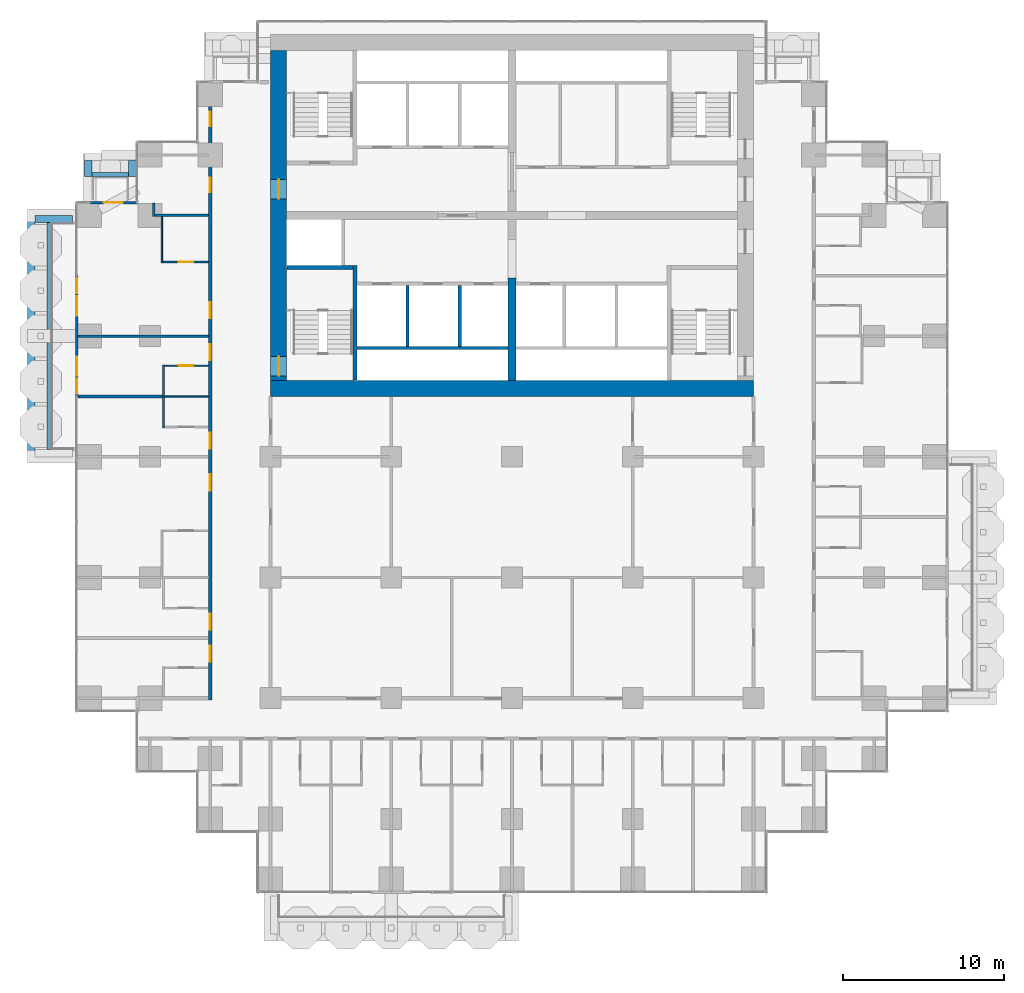
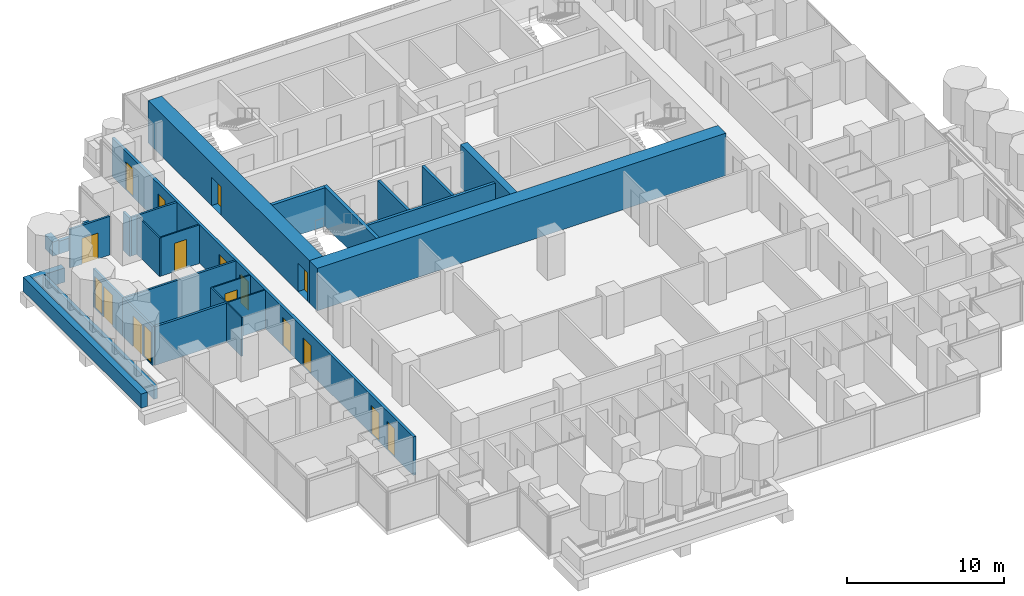
# One storey, part 13 of 19: 27 walls, 15 doors, 2 windows, 17 openings.
"""IFC4 building model written with IfcOpenShell, lengths in metres."""

import ifcopenshell
import ifcopenshell.guid

model = None  # the IFC model being written
_history = None  # IfcOwnerHistory: only IFC2X3 demands one
_inside = {}  # id of a spatial element -> (the spatial element, [elements in it])
_under = {}  # id of a project, library or spatial element -> (it, [spatial elements below it])
_declared = {}  # id of a project -> (the project, [libraries it declares])
_typed = {}  # id of a type object -> (the type object, [elements of that type])
_made_of = {}  # id of a material, layer set ... -> (it, [elements and type objects made of it])


def new_model(schema):
    """Start an empty IFC model of exactly this schema.

    Asked for "IFC4X3", IfcOpenShell would pick the latest addendum, in which some entities
    have other attributes; the version numbers below select the first issue.
    IFC2X3 requires an IfcOwnerHistory on every rooted entity: one is made here for all.
    """
    global model, _history
    if schema == "IFC4X3":
        model = ifcopenshell.file(schema_version=(4, 3, 0, 0))
    else:
        model = ifcopenshell.file(schema=schema)
    _inside.clear()
    _under.clear()
    _declared.clear()
    _typed.clear()
    _made_of.clear()
    _history = None
    if model.schema == "IFC2X3":
        org = make("IfcOrganization", Name="unknown")
        user = make(
            "IfcPersonAndOrganization",
            ThePerson=make("IfcPerson", FamilyName="unknown"),
            TheOrganization=org,
        )
        app = make(
            "IfcApplication",
            ApplicationDeveloper=org,
            Version="unknown",
            ApplicationFullName="unknown",
            ApplicationIdentifier="unknown",
        )
        _history = make(
            "IfcOwnerHistory",
            OwningUser=user,
            OwningApplication=app,
            ChangeAction="ADDED",
            CreationDate=0,
        )
    return model


def make(cls, **values):
    """One entity of the class cls with the attributes given. An attribute that is None is left unset."""
    return model.create_entity(
        cls, **{name: value for name, value in values.items() if value is not None}
    )


def rooted(cls, **values):
    """An entity with a GlobalId (a new one), such as an element, a storey or a relation."""
    return make(cls, GlobalId=ifcopenshell.guid.new(), OwnerHistory=_history, **values)


def si_unit(unit_type, name, prefix=None):
    """IfcSIUnit, for example si_unit("LENGTHUNIT", "METRE", prefix="MILLI")."""
    return make("IfcSIUnit", UnitType=unit_type, Prefix=prefix, Name=name)


def assignment(units):
    """IfcUnitAssignment: the units of a project."""
    return None if units is None else make("IfcUnitAssignment", Units=units)


def point(xyz):
    """IfcCartesianPoint."""
    return None if xyz is None else make("IfcCartesianPoint", Coordinates=xyz)


def direction(xyz):
    """IfcDirection."""
    return None if xyz is None else make("IfcDirection", DirectionRatios=xyz)


def frame(location, z_axis=None, x_axis=None):
    """IfcAxis2Placement3D, a coordinate frame: its origin and axes. An axis left out is left unset."""
    return make(
        "IfcAxis2Placement3D",
        Location=point(location),
        Axis=direction(z_axis),
        RefDirection=direction(x_axis),
    )


def frame_2d(location, x_axis=None):
    """IfcAxis2Placement2D, a coordinate frame in the plane: its origin and x axis."""
    return make(
        "IfcAxis2Placement2D", Location=point(location), RefDirection=direction(x_axis)
    )


def origin():
    """The frame at (0, 0, 0) with its axes left unset."""
    return frame((0.0, 0.0, 0.0))


def place(relative_to, where):
    """IfcLocalPlacement: puts the frame where relative to a parent placement (None: the world)."""
    return make(
        "IfcLocalPlacement", PlacementRelTo=relative_to, RelativePlacement=where
    )


def context(
    kind, dimensions, precision=None, world=None, true_north=None, identifier=None
):
    """IfcGeometricRepresentationContext, for example the 3D "Model" context."""
    return make(
        "IfcGeometricRepresentationContext",
        ContextIdentifier=identifier,
        ContextType=kind,
        CoordinateSpaceDimension=dimensions,
        Precision=precision,
        WorldCoordinateSystem=world,
        TrueNorth=true_north,
    )


def subcontext(parent, identifier, kind, view, scale=None):
    """IfcGeometricRepresentationSubContext, for example "Body" below "Model"."""
    return make(
        "IfcGeometricRepresentationSubContext",
        ContextIdentifier=identifier,
        ContextType=kind,
        ParentContext=parent,
        TargetScale=scale,
        TargetView=view,
    )


def project(units=None, contexts=None):
    """IfcProject with its units and contexts."""
    return rooted(
        "IfcProject",
        Name="project",
        RepresentationContexts=contexts,
        UnitsInContext=assignment(units),
    )


def spatial(cls, under=None, at=None, **own):
    """A site, building, storey or space (cls), placed at a placement, below another one or the project."""
    s = rooted(cls, ObjectPlacement=at, **own)
    if under is not None:
        _under.setdefault(under.id(), (under, []))[1].append(s)
    return s


def profile(cls, at=None, kind="AREA", **sizes):
    """A parametric profile (cls). Its sizes go by their IFC names, for example OverallWidth=200.0."""
    return make(cls, ProfileType=kind, Position=at, **sizes)


def rectangle(**sizes):
    """IfcRectangleProfileDef."""
    return profile("IfcRectangleProfileDef", **sizes)


def extrude(swept, where, along, depth):
    """IfcExtrudedAreaSolid: the profile swept, set in the frame where, extruded along a direction by depth."""
    return make(
        "IfcExtrudedAreaSolid",
        SweptArea=swept,
        Position=where,
        ExtrudedDirection=direction(along),
        Depth=depth,
    )


def shape(context_of_items, identifier, shape_type, items):
    """IfcShapeRepresentation: the items that make up one representation, for example the "Body"."""
    return make(
        "IfcShapeRepresentation",
        ContextOfItems=context_of_items,
        RepresentationIdentifier=identifier,
        RepresentationType=shape_type,
        Items=items,
    )


def material(Name=None, Category=None):
    """IfcMaterial."""
    return make("IfcMaterial", Name=Name, Category=Category)


def layer(
    of_material, thickness, ventilated=None, Name=None, Category=None, Priority=None
):
    """IfcMaterialLayer: one layer of a wall or slab, of a material (None: an air gap)."""
    return make(
        "IfcMaterialLayer",
        Material=of_material,
        LayerThickness=thickness,
        IsVentilated=ventilated,
        Name=Name,
        Category=Category,
        Priority=Priority,
    )


def layer_set(layers, Name=None):
    """IfcMaterialLayerSet."""
    return make("IfcMaterialLayerSet", MaterialLayers=layers, LayerSetName=Name)


def made_of(thing, what):
    """Note that an element or type object is made of a material, layer set ...; save() writes the relation."""
    if what is not None:
        _made_of.setdefault(what.id(), (what, []))[1].append(thing)
    return thing


def type_object(cls, material=None, **own):
    """A type object (cls), such as IfcWallType, which elements share."""
    return made_of(rooted(cls, **own), material)


def element(
    cls,
    number,
    at=None,
    inside=None,
    cuts=None,
    type_object=None,
    material=None,
    context=None,
    identifier="Body",
    shape_type=None,
    held_by="IfcProductDefinitionShape",
    body=None,
    shapes=None,
    **own,
):
    """One element of the class cls, such as IfcWall. Its Tag is "e" and its number.

    at: its placement. inside: the storey or other place that contains it. cuts: it is an
    opening in that element (IfcRelVoidsElement). A single representation is given by context,
    identifier, shape_type and body (its items); several are given by shapes. held_by: the class
    of the entity that holds the representations. save() writes the other relations.
    """
    e = rooted(cls, Tag="e%d" % number, ObjectPlacement=at, **own)
    if body is not None:
        shapes = [shape(context, identifier, shape_type, body)]
    if shapes is not None:
        e.Representation = make(held_by, Representations=shapes)
    if inside is not None:
        _inside.setdefault(inside.id(), (inside, []))[1].append(e)
    if cuts is not None:
        rooted(
            "IfcRelVoidsElement", RelatingBuildingElement=cuts, RelatedOpeningElement=e
        )
    if type_object is not None:
        _typed.setdefault(type_object.id(), (type_object, []))[1].append(e)
    return made_of(e, material)


def fill(opening, filler):
    """IfcRelFillsElement: the door or window that sits in an opening."""
    return rooted(
        "IfcRelFillsElement",
        RelatingOpeningElement=opening,
        RelatedBuildingElement=filler,
    )


def aggregate(whole, parts):
    """IfcRelAggregates: a whole, such as a stair, and the parts it consists of."""
    return rooted("IfcRelAggregates", RelatingObject=whole, RelatedObjects=parts)


def save(model, path):
    """Write the relations noted so far, then the file.

    IfcRelAggregates (storeys below a building ...), IfcRelContainedInSpatialStructure (elements
    in a storey), IfcRelDefinesByType, IfcRelAssociatesMaterial and IfcRelDeclares: one each for
    every whole, place, type object, material and project.
    """
    for whole, parts in _under.values():
        aggregate(whole, parts)
    for where, things in _inside.values():
        rooted(
            "IfcRelContainedInSpatialStructure",
            RelatedElements=things,
            RelatingStructure=where,
        )
    for kind, things in _typed.values():
        rooted("IfcRelDefinesByType", RelatedObjects=things, RelatingType=kind)
    for what, things in _made_of.values():
        rooted("IfcRelAssociatesMaterial", RelatedObjects=things, RelatingMaterial=what)
    for by, libraries in _declared.values():
        rooted("IfcRelDeclares", RelatingContext=by, RelatedDefinitions=libraries)
    model.write(path)


model = new_model("IFC4")

# Units and contexts
model_context = context("Model", 3, precision=1e-05, world=origin(), true_north=direction((0.0, 1.0)))
body_context = subcontext(model_context, "Body", "Model", "MODEL_VIEW")
ifc_project = project(units=[si_unit("LENGTHUNIT", "METRE"), si_unit("AREAUNIT", "SQUARE_METRE"), si_unit("VOLUMEUNIT", "CUBIC_METRE"), si_unit("PLANEANGLEUNIT", "RADIAN"), si_unit("MASSUNIT", "GRAM", prefix="KILO")], contexts=[model_context])

# Site, building, storey
site_placement = place(None, origin())
site = spatial("IfcSite", under=ifc_project, at=site_placement, CompositionType="ELEMENT")
building_placement = place(site_placement, origin())
building = spatial("IfcBuilding", under=site, at=building_placement, Name="Pilkhan Gate Tower", CompositionType="ELEMENT")
storey_placement = place(building_placement, frame((0.0, 0.0, 69.199951171875)))
storey = spatial("IfcBuildingStorey", under=building, at=storey_placement, Name="L15", CompositionType="ELEMENT", Elevation=69.199951171875)

# Walls
ifc_material_1 = material(Name="Dense blockwork", Category="masonry")
ifc_layer_1 = layer(ifc_material_1, 0.175048828125)
ifc_layer_set_1 = layer_set([ifc_layer_1], Name="Acoustic party wall PW175")
wall_type_1 = type_object("IfcWallType", Name="Acoustic party wall PW175", PredefinedType="PARTITIONING", material=ifc_layer_set_1)
wall_1_placement = place(storey_placement, frame((48.0400390625, 71.25, 0.0), z_axis=(0.0, 0.0, 1.0), x_axis=(1.0, 0.0, 0.0)))
element("IfcWall", 1, at=wall_1_placement, inside=storey, type_object=wall_type_1, Name="Partition L15", PredefinedType="PARTITIONING", context=body_context, shape_type="SweptSolid", body=[
    extrude(rectangle(XDim=5.260009765625, YDim=0.175048828125, at=frame_2d((2.6298828125, 0.0))), origin(), (0.0, 0.0, 1.0), 3.0),
])
ifc_material_2 = material(Name="Concrete C40/50", Category="concrete")
ifc_layer_2 = layer(ifc_material_2, 0.25)
ifc_layer_set_2 = layer_set([ifc_layer_2], Name="Balcony planter BP250")
wall_type_2 = type_object("IfcWallType", Name="Balcony planter BP250", PredefinedType="USERDEFINED", material=ifc_layer_set_2)
wall_2_placement = place(storey_placement, frame((48.89990234375, 85.02490234375, 0.0), z_axis=(0.0, 0.0, 1.0), x_axis=(1.0, 0.0, 0.0)))
element("IfcWall", 2, at=wall_2_placement, inside=storey, type_object=wall_type_2, Name="Balcony planter L15 N", ObjectType="BALCONY PLANTER", PredefinedType="USERDEFINED", context=body_context, shape_type="SweptSolid", body=[
    extrude(rectangle(XDim=2.280029296875, YDim=0.25, at=frame_2d((1.14013671875, 0.0))), origin(), (0.0, 0.0, 1.0), 1.0),
])
wall_3_placement = place(storey_placement, frame((46.22509765625, 67.949951171875, 0.0), z_axis=(0.0, 0.0, 1.0), x_axis=(0.0, 1.0, 0.0)))
element("IfcWall", 3, at=wall_3_placement, inside=storey, type_object=wall_type_2, Name="Balcony planter L15 W", ObjectType="BALCONY PLANTER", PredefinedType="USERDEFINED", context=body_context, shape_type="SweptSolid", body=[
    extrude(rectangle(XDim=14.10009765625, YDim=0.25, at=frame_2d((7.050048828125, 0.0))), origin(), (0.0, 0.0, 1.0), 1.0),
])
ifc_material_3 = material(Name="Board-marked Concrete C40/50", Category="concrete")
ifc_layer_3 = layer(ifc_material_3, 0.449951171875)
ifc_layer_set_3 = layer_set([ifc_layer_3], Name="Balcony planter lip BL450")
wall_type_3 = type_object("IfcWallType", Name="Balcony planter lip BL450", PredefinedType="USERDEFINED", material=ifc_layer_set_3)
for number, where, z_axis, x_axis, name in (
    (4, (48.675048828125, 84.89990234375, 0.0), (0.0, 0.0, 1.0), (0.0, 1.0, 0.0), "Balcony planter L15 N"),
    (5, (51.405029296875, 84.89990234375, 0.0), (0.0, 0.0, 1.0), (0.0, 1.0, 0.0), "Balcony planter L15 N"),
):
    element("IfcWall", number, at=place(storey_placement, frame(where, z_axis=z_axis, x_axis=x_axis)), inside=storey, type_object=wall_type_3, Name=name, ObjectType="BALCONY PLANTER", PredefinedType="USERDEFINED", context=body_context, shape_type="SweptSolid", body=[
        extrude(rectangle(XDim=1.0, YDim=0.449951171875, at=frame_2d((0.5, 0.0))), origin(), (0.0, 0.0, 1.0), 1.10009765625),
    ])
wall_4_placement = place(storey_placement, frame((45.125, 67.5, 0.0), z_axis=(0.0, 0.0, 1.0), x_axis=(0.0, 1.0, 0.0)))
element("IfcWall", 6, at=wall_4_placement, inside=storey, type_object=wall_type_3, Name="Balcony planter L15 W", ObjectType="BALCONY PLANTER", PredefinedType="USERDEFINED", context=body_context, shape_type="SweptSolid", body=[
    extrude(rectangle(XDim=15.0, YDim=0.449951171875, at=frame_2d((7.5, 0.0))), origin(), (0.0, 0.0, 1.0), 1.10009765625),
])
wall_5_placement = place(storey_placement, frame((47.699951171875, 82.27490234375, 0.0), z_axis=(0.0, 0.0, 1.0), x_axis=(-1.0, 0.0, 0.0)))
element("IfcWall", 7, at=wall_5_placement, inside=storey, type_object=wall_type_3, Name="Balcony planter L15 W", ObjectType="BALCONY PLANTER", PredefinedType="USERDEFINED", context=body_context, shape_type="SweptSolid", body=[
    extrude(rectangle(XDim=2.349853515625, YDim=0.449951171875, at=frame_2d((1.1748046875, 0.0))), origin(), (0.0, 0.0, 1.0), 1.10009765625),
])
ifc_material_4 = material(Name="Concrete C70/85", Category="concrete")
ifc_layer_4 = layer(ifc_material_4, 1.0)
ifc_layer_set_4 = layer_set([ifc_layer_4], Name="Core wall CW1000 C70/85")
wall_type_4 = type_object("IfcWallType", Name="Core wall CW1000 C70/85", PredefinedType="SHEAR", material=ifc_layer_set_4)
wall_6_placement = place(storey_placement, frame((60.0, 71.75, 0.0), z_axis=(0.0, 0.0, 1.0), x_axis=(1.0, 0.0, 0.0)))
element("IfcWall", 8, at=wall_6_placement, inside=storey, type_object=wall_type_4, Name="Core wall S L15", PredefinedType="SHEAR", context=body_context, shape_type="SweptSolid", body=[
    extrude(rectangle(XDim=30.0, YDim=1.0, at=frame_2d((15.0, 0.0))), origin(), (0.0, 0.0, 1.0), 3.300048828125),
])

# Wall, openings, doors
wall_7_placement = place(storey_placement, frame((60.5, 92.75, 0.0), z_axis=(0.0, 0.0, 1.0), x_axis=(0.0, -1.0, 0.0)))
wall_7 = element("IfcWall", 9, at=wall_7_placement, inside=storey, type_object=wall_type_4, Name="Core wall W L15", PredefinedType="SHEAR", context=body_context, shape_type="SweptSolid", body=[
    extrude(rectangle(XDim=20.5, YDim=1.0, at=frame_2d((10.25, 0.0))), origin(), (0.0, 0.0, 1.0), 3.300048828125),
])
opening_1_placement = place(wall_7_placement, frame((19.02490234375, 0.0, 0.0)))
opening_1 = element("IfcOpeningElement", 10, at=opening_1_placement, cuts=wall_7, Name="Opening L15-04", PredefinedType="OPENING", context=body_context, shape_type="SweptSolid", body=[
    extrude(rectangle(XDim=1.199951171875, YDim=2.199951171875, at=frame_2d((0.60009765625, 1.10009765625))), frame((0.0, 0.510009765625, 0.0), z_axis=(0.0, -1.0, 0.0), x_axis=(1.0, 0.0, 0.0)), (0.0, 0.0, 1.0), 1.02001953125),
])
opening_2_placement = place(wall_7_placement, frame((8.02490234375, 0.0, 0.0)))
opening_2 = element("IfcOpeningElement", 11, at=opening_2_placement, cuts=wall_7, Name="Opening L15-51", PredefinedType="OPENING", context=body_context, shape_type="SweptSolid", body=[
    extrude(rectangle(XDim=1.199951171875, YDim=2.199951171875, at=frame_2d((0.60009765625, 1.10009765625))), frame((0.0, 0.510009765625, 0.0), z_axis=(0.0, -1.0, 0.0), x_axis=(1.0, 0.0, 0.0)), (0.0, 0.0, 1.0), 1.02001953125),
])
ifc_material_5 = material(Name="Steel door, 120 minute fire resisting, self-closing", Category="steel")
door_type_1 = type_object("IfcDoorType", Name="Firefighting lobby door D10 1200x2200", OperationType="SINGLE_SWING_LEFT", PredefinedType="DOOR", material=ifc_material_5)
door_1_placement = place(opening_2_placement, origin())
door_1 = element("IfcDoor", 12, at=door_1_placement, inside=storey, type_object=door_type_1, Name="Core door", OperationType="SINGLE_SWING_LEFT", OverallHeight=2.199951171875, OverallWidth=1.199951171875, PredefinedType="DOOR", context=body_context, shape_type="SweptSolid", body=[
    extrude(rectangle(XDim=1.199951171875, YDim=2.199951171875, at=frame_2d((0.60009765625, 1.10009765625))), frame((0.0, 0.02490234375, 0.0), z_axis=(0.0, -1.0, 0.0), x_axis=(1.0, 0.0, 0.0)), (0.0, 0.0, 1.0), 0.050048828125),
])
fill(opening_2, door_1)
ifc_material_6 = material(Name="Steel door, 120 minute fire resisting, panic bar", Category="steel")
door_type_2 = type_object("IfcDoorType", Name="Stair door D11 1200x2200", OperationType="SINGLE_SWING_LEFT", PredefinedType="DOOR", material=ifc_material_6)
door_2_placement = place(opening_1_placement, origin())
door_2 = element("IfcDoor", 13, at=door_2_placement, inside=storey, type_object=door_type_2, Name="Stair ST2 door", OperationType="SINGLE_SWING_LEFT", OverallHeight=2.199951171875, OverallWidth=1.199951171875, PredefinedType="DOOR", context=body_context, shape_type="SweptSolid", body=[
    extrude(rectangle(XDim=1.199951171875, YDim=2.199951171875, at=frame_2d((0.60009765625, 1.10009765625))), frame((0.0, 0.02490234375, 0.0), z_axis=(0.0, -1.0, 0.0), x_axis=(1.0, 0.0, 0.0)), (0.0, 0.0, 1.0), 0.050048828125),
])
fill(opening_1, door_2)

ifc_layer_5 = layer(ifc_material_1, 0.199951171875)
ifc_layer_set_5 = layer_set([ifc_layer_5], Name="Corridor wall FW200")
wall_type_5 = type_object("IfcWallType", Name="Corridor wall FW200", PredefinedType="PARTITIONING", material=ifc_layer_set_5)
wall_8_placement = place(storey_placement, frame((56.25, 52.39990234375, 0.0), z_axis=(0.0, 0.0, 1.0), x_axis=(0.0, 1.0, 0.0)))
wall_8 = element("IfcWall", 14, at=wall_8_placement, inside=storey, type_object=wall_type_5, Name="Partition L15", PredefinedType="PARTITIONING", context=body_context, shape_type="SweptSolid", body=[
    extrude(rectangle(XDim=38.31005859375, YDim=0.199951171875, at=frame_2d((19.155029296875, 0.0))), origin(), (0.0, 0.0, 1.0), 3.0),
])
opening_3_placement = place(wall_8_placement, frame((2.35009765625, 0.0, 0.0)))
opening_3 = element("IfcOpeningElement", 15, at=opening_3_placement, cuts=wall_8, Name="Opening L15-26", PredefinedType="OPENING", context=body_context, shape_type="SweptSolid", body=[
    extrude(rectangle(XDim=1.0, YDim=2.199951171875, at=frame_2d((0.5, 1.10009765625))), frame((0.0, 0.10986328125, 0.0), z_axis=(0.0, -1.0, 0.0), x_axis=(1.0, 0.0, 0.0)), (0.0, 0.0, 1.0), 0.219970703125),
])
opening_4_placement = place(wall_8_placement, frame((4.35009765625, 0.0, 0.0)))
opening_4 = element("IfcOpeningElement", 16, at=opening_4_placement, cuts=wall_8, Name="Opening L15-28", PredefinedType="OPENING", context=body_context, shape_type="SweptSolid", body=[
    extrude(rectangle(XDim=1.0, YDim=2.199951171875, at=frame_2d((0.5, 1.10009765625))), frame((0.0, 0.10986328125, 0.0), z_axis=(0.0, -1.0, 0.0), x_axis=(1.0, 0.0, 0.0)), (0.0, 0.0, 1.0), 0.219970703125),
])
opening_5_placement = place(wall_8_placement, frame((13.0, 0.0, 0.0)))
opening_5 = element("IfcOpeningElement", 17, at=opening_5_placement, cuts=wall_8, Name="Opening L15-30", PredefinedType="OPENING", context=body_context, shape_type="SweptSolid", body=[
    extrude(rectangle(XDim=1.0, YDim=2.199951171875, at=frame_2d((0.5, 1.10009765625))), frame((0.0, 0.10986328125, 0.0), z_axis=(0.0, -1.0, 0.0), x_axis=(1.0, 0.0, 0.0)), (0.0, 0.0, 1.0), 0.219970703125),
])
opening_6_placement = place(wall_8_placement, frame((15.60009765625, 0.0, 0.0)))
opening_6 = element("IfcOpeningElement", 18, at=opening_6_placement, cuts=wall_8, Name="Opening L15-32", PredefinedType="OPENING", context=body_context, shape_type="SweptSolid", body=[
    extrude(rectangle(XDim=1.0, YDim=2.199951171875, at=frame_2d((0.5, 1.10009765625))), frame((0.0, 0.10986328125, 0.0), z_axis=(0.0, -1.0, 0.0), x_axis=(1.0, 0.0, 0.0)), (0.0, 0.0, 1.0), 0.219970703125),
])
opening_7_placement = place(wall_8_placement, frame((21.10009765625, 0.0, 0.0)))
opening_7 = element("IfcOpeningElement", 19, at=opening_7_placement, cuts=wall_8, Name="Opening L15-34", PredefinedType="OPENING", context=body_context, shape_type="SweptSolid", body=[
    extrude(rectangle(XDim=1.0, YDim=2.199951171875, at=frame_2d((0.5, 1.10009765625))), frame((0.0, 0.10986328125, 0.0), z_axis=(0.0, -1.0, 0.0), x_axis=(1.0, 0.0, 0.0)), (0.0, 0.0, 1.0), 0.219970703125),
])
opening_8_placement = place(wall_8_placement, frame((23.699951171875, 0.0, 0.0)))
opening_8 = element("IfcOpeningElement", 20, at=opening_8_placement, cuts=wall_8, Name="Opening L15-36", PredefinedType="OPENING", context=body_context, shape_type="SweptSolid", body=[
    extrude(rectangle(XDim=1.0, YDim=2.199951171875, at=frame_2d((0.5, 1.10009765625))), frame((0.0, 0.10986328125, 0.0), z_axis=(0.0, -1.0, 0.0), x_axis=(1.0, 0.0, 0.0)), (0.0, 0.0, 1.0), 0.219970703125),
])
opening_9_placement = place(wall_8_placement, frame((31.550048828125, 0.0, 0.0)))
opening_9 = element("IfcOpeningElement", 21, at=opening_9_placement, cuts=wall_8, Name="Opening L15-58", PredefinedType="OPENING", context=body_context, shape_type="SweptSolid", body=[
    extrude(rectangle(XDim=0.89990234375, YDim=2.199951171875, at=frame_2d((0.449951171875, 1.10009765625))), frame((0.0, 0.10986328125, 0.0), z_axis=(0.0, -1.0, 0.0), x_axis=(1.0, 0.0, 0.0)), (0.0, 0.0, 1.0), 0.219970703125),
])
opening_10_placement = place(wall_8_placement, frame((35.64990234375, 0.0, 0.0)))
opening_10 = element("IfcOpeningElement", 22, at=opening_10_placement, cuts=wall_8, Name="Opening L15-59", PredefinedType="OPENING", context=body_context, shape_type="SweptSolid", body=[
    extrude(rectangle(XDim=0.89990234375, YDim=2.199951171875, at=frame_2d((0.449951171875, 1.10009765625))), frame((0.0, 0.10986328125, 0.0), z_axis=(0.0, -1.0, 0.0), x_axis=(1.0, 0.0, 0.0)), (0.0, 0.0, 1.0), 0.219970703125),
])
ifc_material_7 = material(Name="Timber flush door, 30 minute fire resisting", Category="wood")
door_type_3 = type_object("IfcDoorType", Name="Guest room door D01 1000x2200", OperationType="SINGLE_SWING_LEFT", PredefinedType="DOOR", material=ifc_material_7)
door_3_placement = place(opening_3_placement, origin())
door_3 = element("IfcDoor", 23, at=door_3_placement, inside=storey, type_object=door_type_3, Name="Guest room door", OperationType="SINGLE_SWING_RIGHT", OverallHeight=2.199951171875, OverallWidth=1.0, PredefinedType="DOOR", context=body_context, shape_type="SweptSolid", body=[
    extrude(rectangle(XDim=1.0, YDim=2.199951171875, at=frame_2d((0.5, 1.10009765625))), frame((0.0, 0.02490234375, 0.0), z_axis=(0.0, -1.0, 0.0), x_axis=(1.0, 0.0, 0.0)), (0.0, 0.0, 1.0), 0.050048828125),
])
fill(opening_3, door_3)
door_4_placement = place(opening_4_placement, origin())
door_4 = element("IfcDoor", 24, at=door_4_placement, inside=storey, type_object=door_type_3, Name="Guest room door", OperationType="SINGLE_SWING_LEFT", OverallHeight=2.199951171875, OverallWidth=1.0, PredefinedType="DOOR", context=body_context, shape_type="SweptSolid", body=[
    extrude(rectangle(XDim=1.0, YDim=2.199951171875, at=frame_2d((0.5, 1.10009765625))), frame((0.0, 0.02490234375, 0.0), z_axis=(0.0, -1.0, 0.0), x_axis=(1.0, 0.0, 0.0)), (0.0, 0.0, 1.0), 0.050048828125),
])
fill(opening_4, door_4)
door_5_placement = place(opening_5_placement, origin())
door_5 = element("IfcDoor", 25, at=door_5_placement, inside=storey, type_object=door_type_3, Name="Guest room door", OperationType="SINGLE_SWING_RIGHT", OverallHeight=2.199951171875, OverallWidth=1.0, PredefinedType="DOOR", context=body_context, shape_type="SweptSolid", body=[
    extrude(rectangle(XDim=1.0, YDim=2.199951171875, at=frame_2d((0.5, 1.10009765625))), frame((0.0, 0.02490234375, 0.0), z_axis=(0.0, -1.0, 0.0), x_axis=(1.0, 0.0, 0.0)), (0.0, 0.0, 1.0), 0.050048828125),
])
fill(opening_5, door_5)
door_6_placement = place(opening_6_placement, origin())
door_6 = element("IfcDoor", 26, at=door_6_placement, inside=storey, type_object=door_type_3, Name="Guest room door", OperationType="SINGLE_SWING_LEFT", OverallHeight=2.199951171875, OverallWidth=1.0, PredefinedType="DOOR", context=body_context, shape_type="SweptSolid", body=[
    extrude(rectangle(XDim=1.0, YDim=2.199951171875, at=frame_2d((0.5, 1.10009765625))), frame((0.0, 0.02490234375, 0.0), z_axis=(0.0, -1.0, 0.0), x_axis=(1.0, 0.0, 0.0)), (0.0, 0.0, 1.0), 0.050048828125),
])
fill(opening_6, door_6)
door_7_placement = place(opening_7_placement, origin())
door_7 = element("IfcDoor", 27, at=door_7_placement, inside=storey, type_object=door_type_3, Name="Guest room door", OperationType="SINGLE_SWING_RIGHT", OverallHeight=2.199951171875, OverallWidth=1.0, PredefinedType="DOOR", context=body_context, shape_type="SweptSolid", body=[
    extrude(rectangle(XDim=1.0, YDim=2.199951171875, at=frame_2d((0.5, 1.10009765625))), frame((0.0, 0.02490234375, 0.0), z_axis=(0.0, -1.0, 0.0), x_axis=(1.0, 0.0, 0.0)), (0.0, 0.0, 1.0), 0.050048828125),
])
fill(opening_7, door_7)
door_8_placement = place(opening_8_placement, origin())
door_8 = element("IfcDoor", 28, at=door_8_placement, inside=storey, type_object=door_type_3, Name="Guest room door", OperationType="SINGLE_SWING_LEFT", OverallHeight=2.199951171875, OverallWidth=1.0, PredefinedType="DOOR", context=body_context, shape_type="SweptSolid", body=[
    extrude(rectangle(XDim=1.0, YDim=2.199951171875, at=frame_2d((0.5, 1.10009765625))), frame((0.0, 0.02490234375, 0.0), z_axis=(0.0, -1.0, 0.0), x_axis=(1.0, 0.0, 0.0)), (0.0, 0.0, 1.0), 0.050048828125),
])
fill(opening_8, door_8)
ifc_material_8 = material(Name="Timber flush door, 60 minute fire resisting, self-closing", Category="wood")
door_type_4 = type_object("IfcDoorType", Name="Store door D05 900x2200", OperationType="SINGLE_SWING_LEFT", PredefinedType="DOOR", material=ifc_material_8)
door_9_placement = place(opening_9_placement, origin())
door_9 = element("IfcDoor", 29, at=door_9_placement, inside=storey, type_object=door_type_4, Name="Store door", OperationType="SINGLE_SWING_RIGHT", OverallHeight=2.199951171875, OverallWidth=0.89990234375, PredefinedType="DOOR", context=body_context, shape_type="SweptSolid", body=[
    extrude(rectangle(XDim=0.89990234375, YDim=2.199951171875, at=frame_2d((0.449951171875, 1.10009765625))), frame((0.0, 0.02490234375, 0.0), z_axis=(0.0, -1.0, 0.0), x_axis=(1.0, 0.0, 0.0)), (0.0, 0.0, 1.0), 0.050048828125),
])
fill(opening_9, door_9)
door_10_placement = place(opening_10_placement, origin())
door_10 = element("IfcDoor", 30, at=door_10_placement, inside=storey, type_object=door_type_4, Name="Store door", OperationType="SINGLE_SWING_RIGHT", OverallHeight=2.199951171875, OverallWidth=0.89990234375, PredefinedType="DOOR", context=body_context, shape_type="SweptSolid", body=[
    extrude(rectangle(XDim=0.89990234375, YDim=2.199951171875, at=frame_2d((0.449951171875, 1.10009765625))), frame((0.0, 0.02490234375, 0.0), z_axis=(0.0, -1.0, 0.0), x_axis=(1.0, 0.0, 0.0)), (0.0, 0.0, 1.0), 0.050048828125),
])
fill(opening_10, door_10)

# Wall, opening, door
ifc_material_9 = material(Name="Pale anodised aluminium, clear laminated glazing", Category="aluminium")
ifc_layer_6 = layer(ifc_material_9, 0.14990234375)
ifc_layer_set_6 = layer_set([ifc_layer_6], Name="Facade infill wall IW150")
wall_type_6 = type_object("IfcWallType", Name="Facade infill wall IW150", PredefinedType="SOLIDWALL", material=ifc_layer_set_6)
wall_9_placement = place(storey_placement, frame((48.75, 83.294921875, 0.0), z_axis=(0.0, 0.0, 1.0), x_axis=(1.0, 0.0, 0.0)))
wall_9 = element("IfcWall", 31, at=wall_9_placement, inside=storey, type_object=wall_type_6, Name="Infill wall L15 N", PredefinedType="SOLIDWALL", context=body_context, shape_type="SweptSolid", body=[
    extrude(rectangle(XDim=2.955078125, YDim=0.14990234375, at=frame_2d((1.4775390625, 0.0))), origin(), (0.0, 0.0, 1.0), 3.0),
])
opening_11_placement = place(wall_9_placement, frame((0.87744140625, 0.0, 0.0)))
opening_11 = element("IfcOpeningElement", 32, at=opening_11_placement, cuts=wall_9, Name="Opening D1L", PredefinedType="OPENING", context=body_context, shape_type="SweptSolid", body=[
    extrude(rectangle(XDim=1.199951171875, YDim=2.0, at=frame_2d((0.60009765625, 1.0))), frame((0.0, 0.0849609375, 0.0), z_axis=(0.0, -1.0, 0.0), x_axis=(1.0, 0.0, 0.0)), (0.0, 0.0, 1.0), 0.169921875),
])
ifc_material_10 = material(Name="Pale anodised aluminium, clear glazing", Category="aluminium")
door_type_5 = type_object("IfcDoorType", Name="Balcony door D1L 1200x2000", OperationType="SINGLE_SWING_LEFT", PredefinedType="DOOR", material=ifc_material_10)
door_11_placement = place(opening_11_placement, origin())
door_11 = element("IfcDoor", 33, at=door_11_placement, inside=storey, type_object=door_type_5, Name="Balcony door L15", OperationType="SINGLE_SWING_LEFT", OverallHeight=2.0, OverallWidth=1.199951171875, PredefinedType="DOOR", context=body_context, shape_type="SweptSolid", body=[
    extrude(rectangle(XDim=1.199951171875, YDim=2.0, at=frame_2d((0.60009765625, 1.0))), frame((0.0, 0.02490234375, 0.0), z_axis=(0.0, -1.0, 0.0), x_axis=(1.0, 0.0, 0.0)), (0.0, 0.0, 1.0), 0.050048828125),
])
fill(opening_11, door_11)

# Wall, openings, door, window
wall_10_placement = place(storey_placement, frame((47.955078125, 71.25, 0.0), z_axis=(0.0, 0.0, 1.0), x_axis=(0.0, 1.0, 0.0)))
wall_10 = element("IfcWall", 34, at=wall_10_placement, inside=storey, type_object=wall_type_6, Name="Infill wall L15 W", PredefinedType="SOLIDWALL", context=body_context, shape_type="SweptSolid", body=[
    extrude(rectangle(XDim=3.75, YDim=0.14990234375, at=frame_2d((1.875, 0.0))), origin(), (0.0, 0.0, 1.0), 3.0),
])
opening_12_placement = place(wall_10_placement, frame((0.1875, 0.0, 0.10009765625)))
opening_12 = element("IfcOpeningElement", 35, at=opening_12_placement, cuts=wall_10, Name="Opening W1", PredefinedType="OPENING", context=body_context, shape_type="SweptSolid", body=[
    extrude(rectangle(XDim=0.89990234375, YDim=2.39990234375, at=frame_2d((0.449951171875, 1.199951171875))), frame((0.0, 0.0849609375, 0.0), z_axis=(0.0, -1.0, 0.0), x_axis=(1.0, 0.0, 0.0)), (0.0, 0.0, 1.0), 0.169921875),
])
opening_13_placement = place(wall_10_placement, frame((1.27490234375, 0.0, 0.0)))
opening_13 = element("IfcOpeningElement", 36, at=opening_13_placement, cuts=wall_10, Name="Opening D1", PredefinedType="OPENING", context=body_context, shape_type="SweptSolid", body=[
    extrude(rectangle(XDim=1.199951171875, YDim=2.39990234375, at=frame_2d((0.60009765625, 1.199951171875))), frame((0.0, 0.0849609375, 0.0), z_axis=(0.0, -1.0, 0.0), x_axis=(1.0, 0.0, 0.0)), (0.0, 0.0, 1.0), 0.169921875),
])
door_type_6 = type_object("IfcDoorType", Name="Balcony door D1 1200x2400", OperationType="SINGLE_SWING_LEFT", PredefinedType="DOOR", material=ifc_material_10)
door_12_placement = place(opening_13_placement, origin())
door_12 = element("IfcDoor", 37, at=door_12_placement, inside=storey, type_object=door_type_6, Name="Balcony door L15", OperationType="SINGLE_SWING_LEFT", OverallHeight=2.39990234375, OverallWidth=1.199951171875, PredefinedType="DOOR", context=body_context, shape_type="SweptSolid", body=[
    extrude(rectangle(XDim=1.199951171875, YDim=2.39990234375, at=frame_2d((0.60009765625, 1.199951171875))), frame((0.0, 0.02490234375, 0.0), z_axis=(0.0, -1.0, 0.0), x_axis=(1.0, 0.0, 0.0)), (0.0, 0.0, 1.0), 0.050048828125),
])
fill(opening_13, door_12)
ifc_material_11 = material(Name="Pale anodised aluminium, clear double glazing", Category="aluminium")
window_type = type_object("IfcWindowType", Name="Window W1 900x2400", PartitioningType="SINGLE_PANEL", PredefinedType="WINDOW", material=ifc_material_11)
window_1_placement = place(opening_12_placement, origin())
window_1 = element("IfcWindow", 38, at=window_1_placement, inside=storey, type_object=window_type, Name="Window L15", OverallHeight=2.39990234375, OverallWidth=0.89990234375, PartitioningType="SINGLE_PANEL", PredefinedType="WINDOW", context=body_context, shape_type="SweptSolid", body=[
    extrude(rectangle(XDim=0.89990234375, YDim=2.39990234375, at=frame_2d((0.449951171875, 1.199951171875))), frame((0.0, 0.030029296875, 0.0), z_axis=(0.0, -1.0, 0.0), x_axis=(1.0, 0.0, 0.0)), (0.0, 0.0, 1.0), 0.06005859375),
])
fill(opening_12, window_1)

wall_11_placement = place(storey_placement, frame((47.955078125, 75.0, 0.0), z_axis=(0.0, 0.0, 1.0), x_axis=(0.0, 1.0, 0.0)))
wall_11 = element("IfcWall", 39, at=wall_11_placement, inside=storey, type_object=wall_type_6, Name="Infill wall L15 W", PredefinedType="SOLIDWALL", context=body_context, shape_type="SweptSolid", body=[
    extrude(rectangle(XDim=3.75, YDim=0.14990234375, at=frame_2d((1.875, 0.0))), origin(), (0.0, 0.0, 1.0), 3.0),
])
opening_14_placement = place(wall_11_placement, frame((1.27490234375, 0.0, 0.0)))
opening_14 = element("IfcOpeningElement", 40, at=opening_14_placement, cuts=wall_11, Name="Opening D1", PredefinedType="OPENING", context=body_context, shape_type="SweptSolid", body=[
    extrude(rectangle(XDim=1.199951171875, YDim=2.39990234375, at=frame_2d((0.60009765625, 1.199951171875))), frame((0.0, 0.0849609375, 0.0), z_axis=(0.0, -1.0, 0.0), x_axis=(1.0, 0.0, 0.0)), (0.0, 0.0, 1.0), 0.169921875),
])
opening_15_placement = place(wall_11_placement, frame((2.66259765625, 0.0, 0.10009765625)))
opening_15 = element("IfcOpeningElement", 41, at=opening_15_placement, cuts=wall_11, Name="Opening W1", PredefinedType="OPENING", context=body_context, shape_type="SweptSolid", body=[
    extrude(rectangle(XDim=0.89990234375, YDim=2.39990234375, at=frame_2d((0.449951171875, 1.199951171875))), frame((0.0, 0.0849609375, 0.0), z_axis=(0.0, -1.0, 0.0), x_axis=(1.0, 0.0, 0.0)), (0.0, 0.0, 1.0), 0.169921875),
])
door_13_placement = place(opening_14_placement, origin())
door_13 = element("IfcDoor", 42, at=door_13_placement, inside=storey, type_object=door_type_6, Name="Balcony door L15", OperationType="SINGLE_SWING_LEFT", OverallHeight=2.39990234375, OverallWidth=1.199951171875, PredefinedType="DOOR", context=body_context, shape_type="SweptSolid", body=[
    extrude(rectangle(XDim=1.199951171875, YDim=2.39990234375, at=frame_2d((0.60009765625, 1.199951171875))), frame((0.0, 0.02490234375, 0.0), z_axis=(0.0, -1.0, 0.0), x_axis=(1.0, 0.0, 0.0)), (0.0, 0.0, 1.0), 0.050048828125),
])
fill(opening_14, door_13)
window_2_placement = place(opening_15_placement, origin())
window_2 = element("IfcWindow", 43, at=window_2_placement, inside=storey, type_object=window_type, Name="Window L15", OverallHeight=2.39990234375, OverallWidth=0.89990234375, PartitioningType="SINGLE_PANEL", PredefinedType="WINDOW", context=body_context, shape_type="SweptSolid", body=[
    extrude(rectangle(XDim=0.89990234375, YDim=2.39990234375, at=frame_2d((0.449951171875, 1.199951171875))), frame((0.0, 0.030029296875, 0.0), z_axis=(0.0, -1.0, 0.0), x_axis=(1.0, 0.0, 0.0)), (0.0, 0.0, 1.0), 0.06005859375),
])
fill(opening_15, window_2)

# Walls
ifc_material_12 = material(Name="Blockwork partition, plastered both sides", Category="masonry")
ifc_layer_7 = layer(ifc_material_12, 0.14990234375)
ifc_layer_set_7 = layer_set([ifc_layer_7], Name="Partition PW150")
wall_type_7 = type_object("IfcWallType", Name="Partition PW150", PredefinedType="PARTITIONING", material=ifc_layer_set_7)
wall_12_placement = place(storey_placement, frame((48.0400390625, 75.0, 0.0), z_axis=(0.0, 0.0, 1.0), x_axis=(1.0, 0.0, 0.0)))
element("IfcWall", 44, at=wall_12_placement, inside=storey, type_object=wall_type_7, Name="Partition L15", PredefinedType="PARTITIONING", context=body_context, shape_type="SweptSolid", body=[
    extrude(rectangle(XDim=8.10986328125, YDim=0.14990234375, at=frame_2d((4.054931640625, 0.0))), origin(), (0.0, 0.0, 1.0), 3.0),
])
wall_13_placement = place(storey_placement, frame((52.81005859375, 82.5, 0.0), z_axis=(0.0, 0.0, 1.0), x_axis=(1.0, 0.0, 0.0)))
element("IfcWall", 45, at=wall_13_placement, inside=storey, type_object=wall_type_7, Name="Partition L15", PredefinedType="PARTITIONING", context=body_context, shape_type="SweptSolid", body=[
    extrude(rectangle(XDim=3.33984375, YDim=0.14990234375, at=frame_2d((1.669921875, 0.0))), origin(), (0.0, 0.0, 1.0), 3.0),
])
wall_14_placement = place(storey_placement, frame((52.735107421875, 82.425048828125, 0.0), z_axis=(0.0, 0.0, 1.0), x_axis=(0.0, 1.0, 0.0)))
element("IfcWall", 46, at=wall_14_placement, inside=storey, type_object=wall_type_7, Name="Partition L15", PredefinedType="PARTITIONING", context=body_context, shape_type="SweptSolid", body=[
    extrude(rectangle(XDim=0.83984375, YDim=0.14990234375, at=frame_2d((0.419921875, 0.0))), origin(), (0.0, 0.0, 1.0), 3.0),
])
ifc_material_13 = material(Name="Reinforced blockwork shaft wall, 120 minute fire resisting", Category="masonry")
ifc_layer_8 = layer(ifc_material_13, 0.199951171875)
ifc_layer_set_8 = layer_set([ifc_layer_8], Name="Shaft wall SW200")
wall_type_8 = type_object("IfcWallType", Name="Shaft wall SW200", PredefinedType="PARTITIONING", material=ifc_layer_set_8)
wall_15_placement = place(storey_placement, frame((65.375, 74.25, 0.0), z_axis=(0.0, 0.0, 1.0), x_axis=(1.0, 0.0, 0.0)))
element("IfcWall", 47, at=wall_15_placement, inside=storey, type_object=wall_type_8, Name="Partition L15", PredefinedType="PARTITIONING", context=body_context, shape_type="SweptSolid", body=[
    extrude(rectangle(XDim=9.364990234375, YDim=0.199951171875, at=frame_2d((4.6826171875, 0.0))), origin(), (0.0, 0.0, 1.0), 3.0),
])
for number, where, z_axis, x_axis, name in (
    (48, (68.5, 74.35009765625, 0.0), (0.0, 0.0, 1.0), (0.0, 1.0, 0.0), "Partition L15"),
    (49, (71.75, 74.35009765625, 0.0), (0.0, 0.0, 1.0), (0.0, 1.0, 0.0), "Partition L15"),
):
    element("IfcWall", number, at=place(storey_placement, frame(where, z_axis=z_axis, x_axis=x_axis)), inside=storey, type_object=wall_type_8, Name=name, PredefinedType="PARTITIONING", context=body_context, shape_type="SweptSolid", body=[
        extrude(rectangle(XDim=3.7998046875, YDim=0.199951171875, at=frame_2d((1.89990234375, 0.0))), origin(), (0.0, 0.0, 1.0), 3.0),
    ])
ifc_layer_9 = layer(ifc_material_4, 0.5)
ifc_layer_set_9 = layer_set([ifc_layer_9], Name="Spine wall SW500 C70/85")
wall_type_9 = type_object("IfcWallType", Name="Spine wall SW500 C70/85", PredefinedType="SHEAR", material=ifc_layer_set_9)
wall_16_placement = place(storey_placement, frame((75.0, 72.25, 0.0), z_axis=(0.0, 0.0, 1.0), x_axis=(0.0, 1.0, 0.0)))
element("IfcWall", 50, at=wall_16_placement, inside=storey, type_object=wall_type_9, Name="Spine wall SP-NS-S1 L15", PredefinedType="SHEAR", context=body_context, shape_type="SweptSolid", body=[
    extrude(rectangle(XDim=6.35009765625, YDim=0.5, at=frame_2d((3.175048828125, 0.0))), origin(), (0.0, 0.0, 1.0), 3.300048828125),
])
ifc_material_14 = material(Name="Reinforced blockwork, 120 minute fire resisting", Category="masonry")
ifc_layer_10 = layer(ifc_material_14, 0.25)
ifc_layer_set_10 = layer_set([ifc_layer_10], Name="Stair enclosure wall SE250")
wall_type_10 = type_object("IfcWallType", Name="Stair enclosure wall SE250", PredefinedType="PARTITIONING", material=ifc_layer_set_10)
wall_17_placement = place(storey_placement, frame((61.010009765625, 79.25, 0.0), z_axis=(0.0, 0.0, 1.0), x_axis=(1.0, 0.0, 0.0)))
element("IfcWall", 51, at=wall_17_placement, inside=storey, type_object=wall_type_10, Name="Partition L15", PredefinedType="PARTITIONING", context=body_context, shape_type="SweptSolid", body=[
    extrude(rectangle(XDim=4.114990234375, YDim=0.25, at=frame_2d((2.0576171875, 0.0))), origin(), (0.0, 0.0, 1.0), 3.0),
])
wall_18_placement = place(storey_placement, frame((65.25, 72.260009765625, 0.0), z_axis=(0.0, 0.0, 1.0), x_axis=(0.0, 1.0, 0.0)))
element("IfcWall", 52, at=wall_18_placement, inside=storey, type_object=wall_type_10, Name="Partition L15", PredefinedType="PARTITIONING", context=body_context, shape_type="SweptSolid", body=[
    extrude(rectangle(XDim=7.114990234375, YDim=0.25, at=frame_2d((3.5576171875, 0.0))), origin(), (0.0, 0.0, 1.0), 3.0),
])
ifc_material_15 = material(Name="Moisture resistant board, tiled")
ifc_layer_11 = layer(ifc_material_15, 0.10009765625)
ifc_layer_set_11 = layer_set([ifc_layer_11], Name="Wet wall PW100")
wall_type_11 = type_object("IfcWallType", Name="Wet wall PW100", PredefinedType="PARTITIONING", material=ifc_layer_set_11)
wall_19_placement = place(storey_placement, frame((53.39990234375, 71.25, 0.0), z_axis=(0.0, 0.0, 1.0), x_axis=(1.0, 0.0, 0.0)))
element("IfcWall", 53, at=wall_19_placement, inside=storey, type_object=wall_type_11, Name="Partition L15", PredefinedType="PARTITIONING", context=body_context, shape_type="SweptSolid", body=[
    extrude(rectangle(XDim=2.75, YDim=0.10009765625, at=frame_2d((1.375, 0.0))), origin(), (0.0, 0.0, 1.0), 3.0),
])

# Wall, opening, door
wall_20_placement = place(storey_placement, frame((53.39990234375, 73.14990234375, 0.0), z_axis=(0.0, 0.0, 1.0), x_axis=(1.0, 0.0, 0.0)))
wall_20 = element("IfcWall", 54, at=wall_20_placement, inside=storey, type_object=wall_type_11, Name="Partition L15", PredefinedType="PARTITIONING", context=body_context, shape_type="SweptSolid", body=[
    extrude(rectangle(XDim=2.75, YDim=0.10009765625, at=frame_2d((1.375, 0.0))), origin(), (0.0, 0.0, 1.0), 3.0),
])
opening_16_placement = place(wall_20_placement, frame((0.89990234375, 0.0, 0.0)))
opening_16 = element("IfcOpeningElement", 55, at=opening_16_placement, cuts=wall_20, Name="Opening L15-35", PredefinedType="OPENING", context=body_context, shape_type="SweptSolid", body=[
    extrude(rectangle(XDim=0.89990234375, YDim=2.199951171875, at=frame_2d((0.449951171875, 1.10009765625))), frame((0.0, 0.06005859375, 0.0), z_axis=(0.0, -1.0, 0.0), x_axis=(1.0, 0.0, 0.0)), (0.0, 0.0, 1.0), 0.1201171875),
])
ifc_material_16 = material(Name="Timber flush door", Category="wood")
door_type_7 = type_object("IfcDoorType", Name="Bathroom door D02 900x2200", OperationType="SINGLE_SWING_RIGHT", PredefinedType="DOOR", material=ifc_material_16)
door_14_placement = place(opening_16_placement, origin())
door_14 = element("IfcDoor", 56, at=door_14_placement, inside=storey, type_object=door_type_7, Name="Bathroom door", OperationType="SINGLE_SWING_RIGHT", OverallHeight=2.199951171875, OverallWidth=0.89990234375, PredefinedType="DOOR", context=body_context, shape_type="SweptSolid", body=[
    extrude(rectangle(XDim=0.89990234375, YDim=2.199951171875, at=frame_2d((0.449951171875, 1.10009765625))), frame((0.0, 0.02490234375, 0.0), z_axis=(0.0, -1.0, 0.0), x_axis=(1.0, 0.0, 0.0)), (0.0, 0.0, 1.0), 0.050048828125),
])
fill(opening_16, door_14)

wall_21_placement = place(storey_placement, frame((53.300048828125, 79.60009765625, 0.0), z_axis=(0.0, 0.0, 1.0), x_axis=(1.0, 0.0, 0.0)))
wall_21 = element("IfcWall", 57, at=wall_21_placement, inside=storey, type_object=wall_type_11, Name="Partition L15", PredefinedType="PARTITIONING", context=body_context, shape_type="SweptSolid", body=[
    extrude(rectangle(XDim=2.849853515625, YDim=0.10009765625, at=frame_2d((1.4248046875, 0.0))), origin(), (0.0, 0.0, 1.0), 3.0),
])
opening_17_placement = place(wall_21_placement, frame((1.0, 0.0, 0.0)))
opening_17 = element("IfcOpeningElement", 58, at=opening_17_placement, cuts=wall_21, Name="Opening L15-37", PredefinedType="OPENING", context=body_context, shape_type="SweptSolid", body=[
    extrude(rectangle(XDim=0.89990234375, YDim=2.199951171875, at=frame_2d((0.449951171875, 1.10009765625))), frame((0.0, 0.06005859375, 0.0), z_axis=(0.0, -1.0, 0.0), x_axis=(1.0, 0.0, 0.0)), (0.0, 0.0, 1.0), 0.1201171875),
])
door_15_placement = place(opening_17_placement, origin())
door_15 = element("IfcDoor", 59, at=door_15_placement, inside=storey, type_object=door_type_7, Name="Bathroom door", OperationType="SINGLE_SWING_RIGHT", OverallHeight=2.199951171875, OverallWidth=0.89990234375, PredefinedType="DOOR", context=body_context, shape_type="SweptSolid", body=[
    extrude(rectangle(XDim=0.89990234375, YDim=2.199951171875, at=frame_2d((0.449951171875, 1.10009765625))), frame((0.0, 0.02490234375, 0.0), z_axis=(0.0, -1.0, 0.0), x_axis=(1.0, 0.0, 0.0)), (0.0, 0.0, 1.0), 0.050048828125),
])
fill(opening_17, door_15)

# Walls
wall_22_placement = place(storey_placement, frame((53.25, 79.550048828125, 0.0), z_axis=(0.0, 0.0, 1.0), x_axis=(0.0, 1.0, 0.0)))
element("IfcWall", 60, at=wall_22_placement, inside=storey, type_object=wall_type_11, Name="Partition L15", PredefinedType="PARTITIONING", context=body_context, shape_type="SweptSolid", body=[
    extrude(rectangle(XDim=2.875, YDim=0.10009765625, at=frame_2d((1.4375, 0.0))), origin(), (0.0, 0.0, 1.0), 3.0),
])
wall_23_placement = place(storey_placement, frame((53.35009765625, 69.300048828125, 0.0), z_axis=(0.0, 0.0, 1.0), x_axis=(0.0, 1.0, 0.0)))
element("IfcWall", 61, at=wall_23_placement, inside=storey, type_object=wall_type_11, Name="Partition L15", PredefinedType="PARTITIONING", context=body_context, shape_type="SweptSolid", body=[
    extrude(rectangle(XDim=3.89990234375, YDim=0.10009765625, at=frame_2d((1.949951171875, 0.0))), origin(), (0.0, 0.0, 1.0), 3.0),
])

save(model, "model.ifc")
